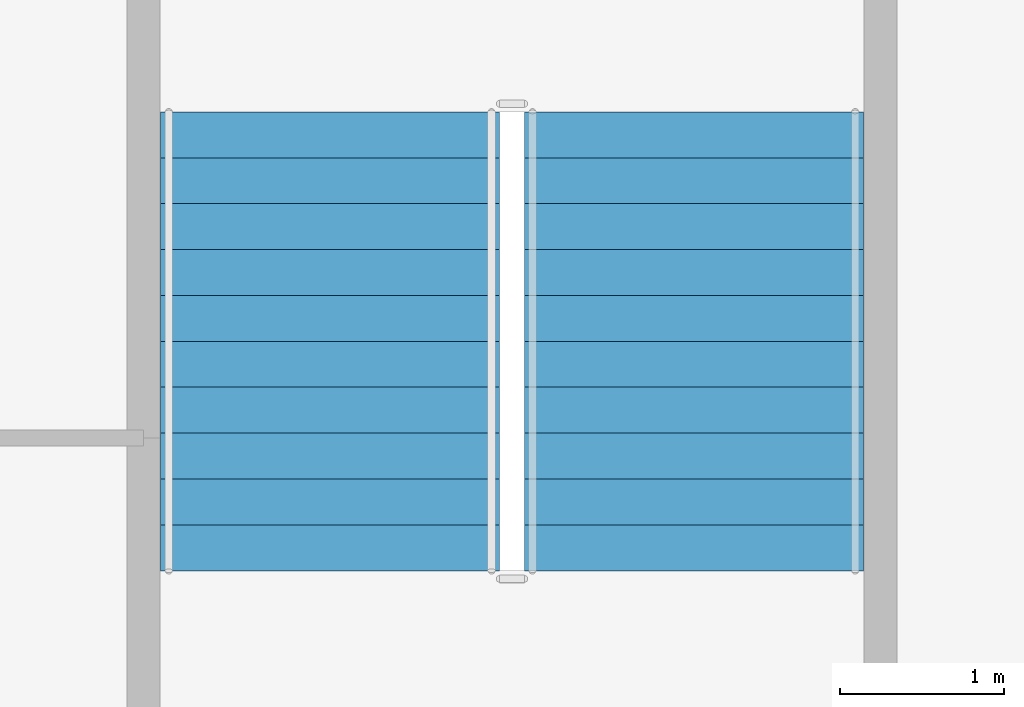
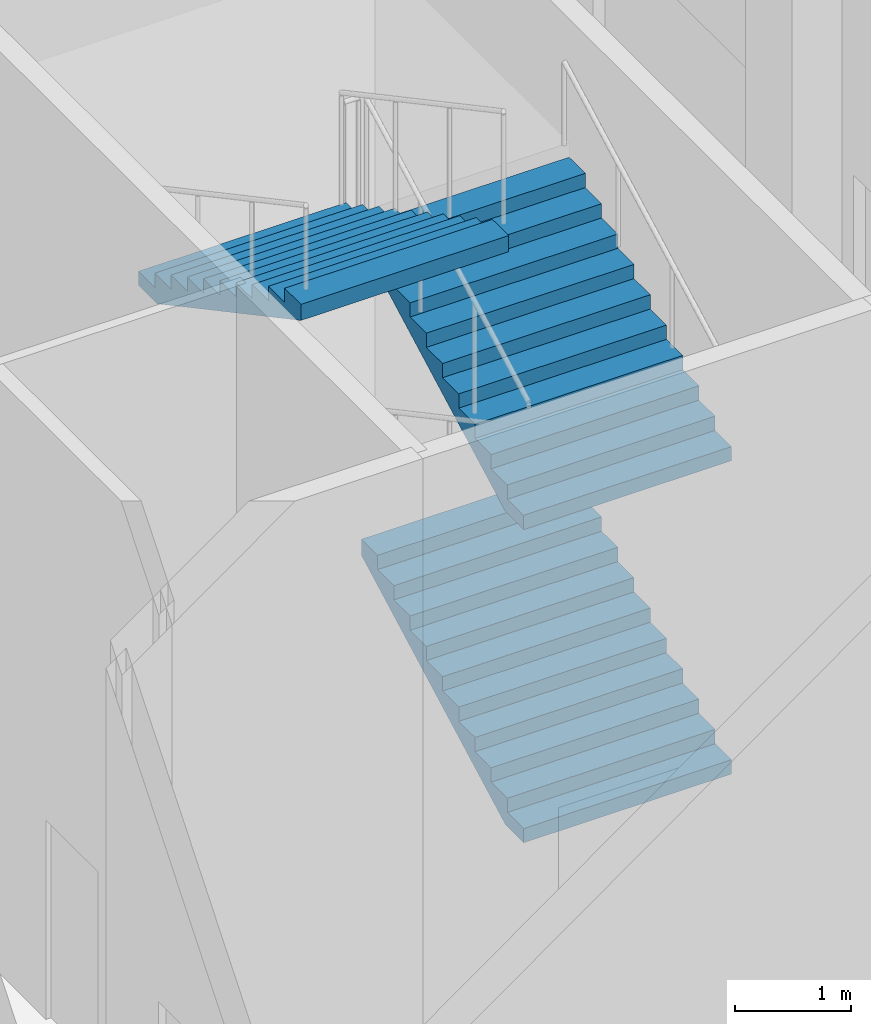
# One storey, part 20 of 26: 3 stair flights, 1 element without a shape of its own.
"""IFC4 building model written with IfcOpenShell, lengths in metres."""

from ifc_helpers import new_model, si_unit, direction, frame, origin, place, context, subcontext, project, spatial, polygons, material, type_object, element, aggregate, save


model = new_model("IFC4")

# Units and contexts
model_context = context("Model", 3, precision=1e-05, world=origin(), true_north=direction((0.0, 1.0)))
body_context = subcontext(model_context, "Body", "Model", "MODEL_VIEW")
ifc_project = project(units=[si_unit("LENGTHUNIT", "METRE"), si_unit("AREAUNIT", "SQUARE_METRE"), si_unit("VOLUMEUNIT", "CUBIC_METRE"), si_unit("PLANEANGLEUNIT", "RADIAN"), si_unit("MASSUNIT", "GRAM", prefix="KILO")], contexts=[model_context])

# Site, building, storey
site_placement = place(None, origin())
site = spatial("IfcSite", under=ifc_project, at=site_placement, CompositionType="ELEMENT")
building_placement = place(site_placement, origin())
building = spatial("IfcBuilding", under=site, at=building_placement, Name="Caravel Reach Hotel and Residences", CompositionType="ELEMENT")
storey_placement = place(building_placement, frame((0.0, 0.0, 17.39990234375)))
storey = spatial("IfcBuildingStorey", under=building, at=storey_placement, Name="L03", CompositionType="ELEMENT", Elevation=17.39990234375)

# Stair, stair flights
ifc_material_1 = material(Name="Concrete C40", Category="concrete")
stair_type = type_object("IfcStairType", Name="Core stair", PredefinedType="HALF_TURN_STAIR", material=ifc_material_1)
stair_placement = place(storey_placement, origin())
stair = element("IfcStair", 1, at=stair_placement, inside=storey, type_object=stair_type, Name="L03 Exit stair P6", PredefinedType="HALF_TURN_STAIR")
ifc_material_2 = material(Name="Concrete C40", Category="concrete")
stair_flight_type = type_object("IfcStairFlightType", Name="Core stair flight", PredefinedType="STRAIGHT", material=ifc_material_2)
stair_flight_1_placement = place(storey_placement, frame((64.360107421875, 42.68994140625, 0.0), z_axis=(0.0, 0.0, 1.0), x_axis=(0.0, 1.0, 0.0)))
stair_flight_1 = element("IfcStairFlight", 2, at=stair_flight_1_placement, type_object=stair_flight_type, Name="ST-P6 flight 1", NumberOfRisers=11, NumberOfTreads=10, PredefinedType="STRAIGHT", RiserHeight=0.15, TreadLength=0.28, context=body_context, shape_type="Tessellation", body=[
    polygons([(0.3174408016601862, 1.0350341796875, 0.0), (0.3174408016601862, 0.6900227864583333, 0.0), (0.3174408016601862, 0.34501139322916663, 0.0), (0.3174408016601862, 0.0, 0.0), (0.3174408016601862, -0.34501139322916674, 0.0), (0.3174408016601862, -0.6900227864583333, 0.0), (0.3174408016601862, -1.0350341796875, 0.0), (2.801, 1.0350341796875, 1.329942427682043), (2.801, 0.6900227864583333, 1.329942427682043), (2.801, 0.34501139322916663, 1.329942427682043), (2.801, 0.0, 1.329942427682043), (2.801, -0.34501139322916674, 1.329942427682043), (2.801, -0.6900227864583333, 1.329942427682043), (2.801, -1.0350341796875, 1.329942427682043), (2.801, 1.0350341796875, 1.5), (2.801, 0.6900227864583333, 1.5), (2.801, 0.34501139322916663, 1.5), (2.801, 0.0, 1.5), (2.801, -0.34501139322916674, 1.5), (2.801, -0.6900227864583333, 1.5), (2.801, -1.0350341796875, 1.5), (2.5200000000000005, 1.0350341796875, 1.5), (2.5200000000000005, 0.6900227864583333, 1.5), (2.5200000000000005, 0.34501139322916663, 1.5), (2.5200000000000005, 0.0, 1.5), (2.5200000000000005, -0.34501139322916674, 1.5), (2.5200000000000005, -0.6900227864583333, 1.5), (2.5200000000000005, -1.0350341796875, 1.5), (2.5200000000000005, 1.0350341796875, 1.3499999999999999), (2.5200000000000005, 0.6900227864583333, 1.3499999999999999), (2.5200000000000005, 0.34501139322916663, 1.3499999999999999), (2.5200000000000005, 0.0, 1.3499999999999999), (2.5200000000000005, -0.34501139322916674, 1.3499999999999999), (2.5200000000000005, -0.6900227864583333, 1.3499999999999999), (2.5200000000000005, -1.0350341796875, 1.3499999999999999), (2.24, 1.0350341796875, 1.3499999999999999), (2.24, 0.6900227864583333, 1.3499999999999999), (2.24, 0.34501139322916663, 1.3499999999999999), (2.24, 0.0, 1.3499999999999999), (2.24, -0.34501139322916674, 1.3499999999999999), (2.24, -0.6900227864583333, 1.3499999999999999), (2.24, -1.0350341796875, 1.3499999999999999), (2.24, 1.0350341796875, 1.2), (2.24, 0.6900227864583333, 1.2), (2.24, 0.34501139322916663, 1.2), (2.24, 0.0, 1.2), (2.24, -0.34501139322916674, 1.2), (2.24, -0.6900227864583333, 1.2), (2.24, -1.0350341796875, 1.2), (1.9600000000000002, 1.0350341796875, 1.2), (1.9600000000000002, 0.6900227864583333, 1.2), (1.9600000000000002, 0.34501139322916663, 1.2), (1.9600000000000002, 0.0, 1.2), (1.9600000000000002, -0.34501139322916674, 1.2), (1.9600000000000002, -0.6900227864583333, 1.2), (1.9600000000000002, -1.0350341796875, 1.2), (1.9600000000000002, 1.0350341796875, 1.05), (1.9600000000000002, 0.6900227864583333, 1.05), (1.9600000000000002, 0.34501139322916663, 1.05), (1.9600000000000002, 0.0, 1.05), (1.9600000000000002, -0.34501139322916674, 1.05), (1.9600000000000002, -0.6900227864583333, 1.05), (1.9600000000000002, -1.0350341796875, 1.05), (1.6800000000000002, 1.0350341796875, 1.05), (1.6800000000000002, 0.6900227864583333, 1.05), (1.6800000000000002, 0.34501139322916663, 1.05), (1.6800000000000002, 0.0, 1.05), (1.6800000000000002, -0.34501139322916674, 1.05), (1.6800000000000002, -0.6900227864583333, 1.05), (1.6800000000000002, -1.0350341796875, 1.05), (1.6800000000000002, 1.0350341796875, 0.8999999999999999), (1.6800000000000002, 0.6900227864583333, 0.8999999999999999), (1.6800000000000002, 0.34501139322916663, 0.8999999999999999), (1.6800000000000002, 0.0, 0.8999999999999999), (1.6800000000000002, -0.34501139322916674, 0.8999999999999999), (1.6800000000000002, -0.6900227864583333, 0.8999999999999999), (1.6800000000000002, -1.0350341796875, 0.8999999999999999), (1.4000000000000001, 1.0350341796875, 0.8999999999999999), (1.4000000000000001, 0.6900227864583333, 0.8999999999999999), (1.4000000000000001, 0.34501139322916663, 0.8999999999999999), (1.4000000000000001, 0.0, 0.8999999999999999), (1.4000000000000001, -0.34501139322916674, 0.8999999999999999), (1.4000000000000001, -0.6900227864583333, 0.8999999999999999), (1.4000000000000001, -1.0350341796875, 0.8999999999999999), (1.4000000000000001, 1.0350341796875, 0.75), (1.4000000000000001, 0.6900227864583333, 0.75), (1.4000000000000001, 0.34501139322916663, 0.75), (1.4000000000000001, 0.0, 0.75), (1.4000000000000001, -0.34501139322916674, 0.75), (1.4000000000000001, -0.6900227864583333, 0.75), (1.4000000000000001, -1.0350341796875, 0.75), (1.12, 1.0350341796875, 0.75), (1.12, 0.6900227864583333, 0.75), (1.12, 0.34501139322916663, 0.75), (1.12, 0.0, 0.75), (1.12, -0.34501139322916674, 0.75), (1.12, -0.6900227864583333, 0.75), (1.12, -1.0350341796875, 0.75), (1.12, 1.0350341796875, 0.6), (1.12, 0.6900227864583333, 0.6), (1.12, 0.34501139322916663, 0.6), (1.12, 0.0, 0.6), (1.12, -0.34501139322916674, 0.6), (1.12, -0.6900227864583333, 0.6), (1.12, -1.0350341796875, 0.6), (0.8400000000000001, 1.0350341796875, 0.6), (0.8400000000000001, 0.6900227864583333, 0.6), (0.8400000000000001, 0.34501139322916663, 0.6), (0.8400000000000001, 0.0, 0.6), (0.8400000000000001, -0.34501139322916674, 0.6), (0.8400000000000001, -0.6900227864583333, 0.6), (0.8400000000000001, -1.0350341796875, 0.6), (0.8400000000000001, 1.0350341796875, 0.44999999999999996), (0.8400000000000001, 0.6900227864583333, 0.44999999999999996), (0.8400000000000001, 0.34501139322916663, 0.44999999999999996), (0.8400000000000001, 0.0, 0.44999999999999996), (0.8400000000000001, -0.34501139322916674, 0.44999999999999996), (0.8400000000000001, -0.6900227864583333, 0.44999999999999996), (0.8400000000000001, -1.0350341796875, 0.44999999999999996), (0.56, 1.0350341796875, 0.44999999999999996), (0.56, 0.6900227864583333, 0.44999999999999996), (0.56, 0.34501139322916663, 0.44999999999999996), (0.56, 0.0, 0.44999999999999996), (0.56, -0.34501139322916674, 0.44999999999999996), (0.56, -0.6900227864583333, 0.44999999999999996), (0.56, -1.0350341796875, 0.44999999999999996), (0.56, 1.0350341796875, 0.3), (0.56, 0.6900227864583333, 0.3), (0.56, 0.34501139322916663, 0.3), (0.56, 0.0, 0.3), (0.56, -0.34501139322916674, 0.3), (0.56, -0.6900227864583333, 0.3), (0.56, -1.0350341796875, 0.3), (0.28, 1.0350341796875, 0.3), (0.28, 0.6900227864583333, 0.3), (0.28, 0.34501139322916663, 0.3), (0.28, 0.0, 0.3), (0.28, -0.34501139322916674, 0.3), (0.28, -0.6900227864583333, 0.3), (0.28, -1.0350341796875, 0.3), (0.28, 1.0350341796875, 0.15), (0.28, 0.6900227864583333, 0.15), (0.28, 0.34501139322916663, 0.15), (0.28, 0.0, 0.15), (0.28, -0.34501139322916674, 0.15), (0.28, -0.6900227864583333, 0.15), (0.28, -1.0350341796875, 0.15), (-0.001, 1.0350341796875, 0.15), (-0.001, 0.6900227864583333, 0.15), (-0.001, 0.34501139322916663, 0.15), (-0.001, 0.0, 0.15), (-0.001, -0.34501139322916674, 0.15), (-0.001, -0.6900227864583333, 0.15), (-0.001, -1.0350341796875, 0.15), (-0.001, 1.0350341796875, 0.0), (-0.001, 0.6900227864583333, 0.0), (-0.001, 0.34501139322916663, 0.0), (-0.001, 0.0, 0.0), (-0.001, -0.34501139322916674, 0.0), (-0.001, -0.6900227864583333, 0.0), (-0.001, -1.0350341796875, 0.0)], [[[155, 148, 141, 134, 127, 120, 113, 106, 99, 92, 85, 78, 71, 64, 57, 50, 43, 36, 29, 22, 15, 8, 1]], [[7, 14, 21, 28, 35, 42, 49, 56, 63, 70, 77, 84, 91, 98, 105, 112, 119, 126, 133, 140, 147, 154, 161]], [[1, 8, 9, 2]], [[2, 9, 10, 3]], [[3, 10, 11, 4]], [[4, 11, 12, 5]], [[5, 12, 13, 6]], [[6, 13, 14, 7]], [[8, 15, 16, 9]], [[9, 16, 17, 10]], [[10, 17, 18, 11]], [[11, 18, 19, 12]], [[12, 19, 20, 13]], [[13, 20, 21, 14]], [[15, 22, 23, 16]], [[16, 23, 24, 17]], [[17, 24, 25, 18]], [[18, 25, 26, 19]], [[19, 26, 27, 20]], [[20, 27, 28, 21]], [[22, 29, 30, 23]], [[23, 30, 31, 24]], [[24, 31, 32, 25]], [[25, 32, 33, 26]], [[26, 33, 34, 27]], [[27, 34, 35, 28]], [[29, 36, 37, 30]], [[30, 37, 38, 31]], [[31, 38, 39, 32]], [[32, 39, 40, 33]], [[33, 40, 41, 34]], [[34, 41, 42, 35]], [[36, 43, 44, 37]], [[37, 44, 45, 38]], [[38, 45, 46, 39]], [[39, 46, 47, 40]], [[40, 47, 48, 41]], [[41, 48, 49, 42]], [[43, 50, 51, 44]], [[44, 51, 52, 45]], [[45, 52, 53, 46]], [[46, 53, 54, 47]], [[47, 54, 55, 48]], [[48, 55, 56, 49]], [[50, 57, 58, 51]], [[51, 58, 59, 52]], [[52, 59, 60, 53]], [[53, 60, 61, 54]], [[54, 61, 62, 55]], [[55, 62, 63, 56]], [[57, 64, 65, 58]], [[58, 65, 66, 59]], [[59, 66, 67, 60]], [[60, 67, 68, 61]], [[61, 68, 69, 62]], [[62, 69, 70, 63]], [[64, 71, 72, 65]], [[65, 72, 73, 66]], [[66, 73, 74, 67]], [[67, 74, 75, 68]], [[68, 75, 76, 69]], [[69, 76, 77, 70]], [[71, 78, 79, 72]], [[72, 79, 80, 73]], [[73, 80, 81, 74]], [[74, 81, 82, 75]], [[75, 82, 83, 76]], [[76, 83, 84, 77]], [[78, 85, 86, 79]], [[79, 86, 87, 80]], [[80, 87, 88, 81]], [[81, 88, 89, 82]], [[82, 89, 90, 83]], [[83, 90, 91, 84]], [[85, 92, 93, 86]], [[86, 93, 94, 87]], [[87, 94, 95, 88]], [[88, 95, 96, 89]], [[89, 96, 97, 90]], [[90, 97, 98, 91]], [[92, 99, 100, 93]], [[93, 100, 101, 94]], [[94, 101, 102, 95]], [[95, 102, 103, 96]], [[96, 103, 104, 97]], [[97, 104, 105, 98]], [[99, 106, 107, 100]], [[100, 107, 108, 101]], [[101, 108, 109, 102]], [[102, 109, 110, 103]], [[103, 110, 111, 104]], [[104, 111, 112, 105]], [[106, 113, 114, 107]], [[107, 114, 115, 108]], [[108, 115, 116, 109]], [[109, 116, 117, 110]], [[110, 117, 118, 111]], [[111, 118, 119, 112]], [[113, 120, 121, 114]], [[114, 121, 122, 115]], [[115, 122, 123, 116]], [[116, 123, 124, 117]], [[117, 124, 125, 118]], [[118, 125, 126, 119]], [[120, 127, 128, 121]], [[121, 128, 129, 122]], [[122, 129, 130, 123]], [[123, 130, 131, 124]], [[124, 131, 132, 125]], [[125, 132, 133, 126]], [[127, 134, 135, 128]], [[128, 135, 136, 129]], [[129, 136, 137, 130]], [[130, 137, 138, 131]], [[131, 138, 139, 132]], [[132, 139, 140, 133]], [[134, 141, 142, 135]], [[135, 142, 143, 136]], [[136, 143, 144, 137]], [[137, 144, 145, 138]], [[138, 145, 146, 139]], [[139, 146, 147, 140]], [[141, 148, 149, 142]], [[142, 149, 150, 143]], [[143, 150, 151, 144]], [[144, 151, 152, 145]], [[145, 152, 153, 146]], [[146, 153, 154, 147]], [[148, 155, 156, 149]], [[149, 156, 157, 150]], [[150, 157, 158, 151]], [[151, 158, 159, 152]], [[152, 159, 160, 153]], [[153, 160, 161, 154]], [[155, 1, 2, 156]], [[156, 2, 3, 157]], [[157, 3, 4, 158]], [[158, 4, 5, 159]], [[159, 5, 6, 160]], [[160, 6, 7, 161]]], closed=True),
])
stair_flight_2_placement = place(storey_placement, frame((64.360107421875, 42.68994140625, 3.300048828125), z_axis=(0.0, 0.0, 1.0), x_axis=(0.0, 1.0, 0.0)))
stair_flight_2 = element("IfcStairFlight", 3, at=stair_flight_2_placement, type_object=stair_flight_type, Name="ST-P6 flight 3", NumberOfRisers=11, NumberOfTreads=10, PredefinedType="STRAIGHT", RiserHeight=0.15, TreadLength=0.28, context=body_context, shape_type="Tessellation", body=[
    polygons([(0.3174408016601862, 1.0350341796875, 0.0), (0.3174408016601862, 0.6900227864583333, 0.0), (0.3174408016601862, 0.34501139322916663, 0.0), (0.3174408016601862, 0.0, 0.0), (0.3174408016601862, -0.34501139322916674, 0.0), (0.3174408016601862, -0.6900227864583333, 0.0), (0.3174408016601862, -1.0350341796875, 0.0), (2.801, 1.0350341796875, 1.329942427682043), (2.801, 0.6900227864583333, 1.329942427682043), (2.801, 0.34501139322916663, 1.329942427682043), (2.801, 0.0, 1.329942427682043), (2.801, -0.34501139322916674, 1.329942427682043), (2.801, -0.6900227864583333, 1.329942427682043), (2.801, -1.0350341796875, 1.329942427682043), (2.801, 1.0350341796875, 1.5), (2.801, 0.6900227864583333, 1.5), (2.801, 0.34501139322916663, 1.5), (2.801, 0.0, 1.5), (2.801, -0.34501139322916674, 1.5), (2.801, -0.6900227864583333, 1.5), (2.801, -1.0350341796875, 1.5), (2.5200000000000005, 1.0350341796875, 1.5), (2.5200000000000005, 0.6900227864583333, 1.5), (2.5200000000000005, 0.34501139322916663, 1.5), (2.5200000000000005, 0.0, 1.5), (2.5200000000000005, -0.34501139322916674, 1.5), (2.5200000000000005, -0.6900227864583333, 1.5), (2.5200000000000005, -1.0350341796875, 1.5), (2.5200000000000005, 1.0350341796875, 1.3499999999999999), (2.5200000000000005, 0.6900227864583333, 1.3499999999999999), (2.5200000000000005, 0.34501139322916663, 1.3499999999999999), (2.5200000000000005, 0.0, 1.3499999999999999), (2.5200000000000005, -0.34501139322916674, 1.3499999999999999), (2.5200000000000005, -0.6900227864583333, 1.3499999999999999), (2.5200000000000005, -1.0350341796875, 1.3499999999999999), (2.24, 1.0350341796875, 1.3499999999999999), (2.24, 0.6900227864583333, 1.3499999999999999), (2.24, 0.34501139322916663, 1.3499999999999999), (2.24, 0.0, 1.3499999999999999), (2.24, -0.34501139322916674, 1.3499999999999999), (2.24, -0.6900227864583333, 1.3499999999999999), (2.24, -1.0350341796875, 1.3499999999999999), (2.24, 1.0350341796875, 1.2), (2.24, 0.6900227864583333, 1.2), (2.24, 0.34501139322916663, 1.2), (2.24, 0.0, 1.2), (2.24, -0.34501139322916674, 1.2), (2.24, -0.6900227864583333, 1.2), (2.24, -1.0350341796875, 1.2), (1.9600000000000002, 1.0350341796875, 1.2), (1.9600000000000002, 0.6900227864583333, 1.2), (1.9600000000000002, 0.34501139322916663, 1.2), (1.9600000000000002, 0.0, 1.2), (1.9600000000000002, -0.34501139322916674, 1.2), (1.9600000000000002, -0.6900227864583333, 1.2), (1.9600000000000002, -1.0350341796875, 1.2), (1.9600000000000002, 1.0350341796875, 1.05), (1.9600000000000002, 0.6900227864583333, 1.05), (1.9600000000000002, 0.34501139322916663, 1.05), (1.9600000000000002, 0.0, 1.05), (1.9600000000000002, -0.34501139322916674, 1.05), (1.9600000000000002, -0.6900227864583333, 1.05), (1.9600000000000002, -1.0350341796875, 1.05), (1.6800000000000002, 1.0350341796875, 1.05), (1.6800000000000002, 0.6900227864583333, 1.05), (1.6800000000000002, 0.34501139322916663, 1.05), (1.6800000000000002, 0.0, 1.05), (1.6800000000000002, -0.34501139322916674, 1.05), (1.6800000000000002, -0.6900227864583333, 1.05), (1.6800000000000002, -1.0350341796875, 1.05), (1.6800000000000002, 1.0350341796875, 0.8999999999999999), (1.6800000000000002, 0.6900227864583333, 0.8999999999999999), (1.6800000000000002, 0.34501139322916663, 0.8999999999999999), (1.6800000000000002, 0.0, 0.8999999999999999), (1.6800000000000002, -0.34501139322916674, 0.8999999999999999), (1.6800000000000002, -0.6900227864583333, 0.8999999999999999), (1.6800000000000002, -1.0350341796875, 0.8999999999999999), (1.4000000000000001, 1.0350341796875, 0.8999999999999999), (1.4000000000000001, 0.6900227864583333, 0.8999999999999999), (1.4000000000000001, 0.34501139322916663, 0.8999999999999999), (1.4000000000000001, 0.0, 0.8999999999999999), (1.4000000000000001, -0.34501139322916674, 0.8999999999999999), (1.4000000000000001, -0.6900227864583333, 0.8999999999999999), (1.4000000000000001, -1.0350341796875, 0.8999999999999999), (1.4000000000000001, 1.0350341796875, 0.75), (1.4000000000000001, 0.6900227864583333, 0.75), (1.4000000000000001, 0.34501139322916663, 0.75), (1.4000000000000001, 0.0, 0.75), (1.4000000000000001, -0.34501139322916674, 0.75), (1.4000000000000001, -0.6900227864583333, 0.75), (1.4000000000000001, -1.0350341796875, 0.75), (1.12, 1.0350341796875, 0.75), (1.12, 0.6900227864583333, 0.75), (1.12, 0.34501139322916663, 0.75), (1.12, 0.0, 0.75), (1.12, -0.34501139322916674, 0.75), (1.12, -0.6900227864583333, 0.75), (1.12, -1.0350341796875, 0.75), (1.12, 1.0350341796875, 0.6), (1.12, 0.6900227864583333, 0.6), (1.12, 0.34501139322916663, 0.6), (1.12, 0.0, 0.6), (1.12, -0.34501139322916674, 0.6), (1.12, -0.6900227864583333, 0.6), (1.12, -1.0350341796875, 0.6), (0.8400000000000001, 1.0350341796875, 0.6), (0.8400000000000001, 0.6900227864583333, 0.6), (0.8400000000000001, 0.34501139322916663, 0.6), (0.8400000000000001, 0.0, 0.6), (0.8400000000000001, -0.34501139322916674, 0.6), (0.8400000000000001, -0.6900227864583333, 0.6), (0.8400000000000001, -1.0350341796875, 0.6), (0.8400000000000001, 1.0350341796875, 0.44999999999999996), (0.8400000000000001, 0.6900227864583333, 0.44999999999999996), (0.8400000000000001, 0.34501139322916663, 0.44999999999999996), (0.8400000000000001, 0.0, 0.44999999999999996), (0.8400000000000001, -0.34501139322916674, 0.44999999999999996), (0.8400000000000001, -0.6900227864583333, 0.44999999999999996), (0.8400000000000001, -1.0350341796875, 0.44999999999999996), (0.56, 1.0350341796875, 0.44999999999999996), (0.56, 0.6900227864583333, 0.44999999999999996), (0.56, 0.34501139322916663, 0.44999999999999996), (0.56, 0.0, 0.44999999999999996), (0.56, -0.34501139322916674, 0.44999999999999996), (0.56, -0.6900227864583333, 0.44999999999999996), (0.56, -1.0350341796875, 0.44999999999999996), (0.56, 1.0350341796875, 0.3), (0.56, 0.6900227864583333, 0.3), (0.56, 0.34501139322916663, 0.3), (0.56, 0.0, 0.3), (0.56, -0.34501139322916674, 0.3), (0.56, -0.6900227864583333, 0.3), (0.56, -1.0350341796875, 0.3), (0.28, 1.0350341796875, 0.3), (0.28, 0.6900227864583333, 0.3), (0.28, 0.34501139322916663, 0.3), (0.28, 0.0, 0.3), (0.28, -0.34501139322916674, 0.3), (0.28, -0.6900227864583333, 0.3), (0.28, -1.0350341796875, 0.3), (0.28, 1.0350341796875, 0.15), (0.28, 0.6900227864583333, 0.15), (0.28, 0.34501139322916663, 0.15), (0.28, 0.0, 0.15), (0.28, -0.34501139322916674, 0.15), (0.28, -0.6900227864583333, 0.15), (0.28, -1.0350341796875, 0.15), (-0.001, 1.0350341796875, 0.15), (-0.001, 0.6900227864583333, 0.15), (-0.001, 0.34501139322916663, 0.15), (-0.001, 0.0, 0.15), (-0.001, -0.34501139322916674, 0.15), (-0.001, -0.6900227864583333, 0.15), (-0.001, -1.0350341796875, 0.15), (-0.001, 1.0350341796875, 0.0), (-0.001, 0.6900227864583333, 0.0), (-0.001, 0.34501139322916663, 0.0), (-0.001, 0.0, 0.0), (-0.001, -0.34501139322916674, 0.0), (-0.001, -0.6900227864583333, 0.0), (-0.001, -1.0350341796875, 0.0)], [[[155, 148, 141, 134, 127, 120, 113, 106, 99, 92, 85, 78, 71, 64, 57, 50, 43, 36, 29, 22, 15, 8, 1]], [[7, 14, 21, 28, 35, 42, 49, 56, 63, 70, 77, 84, 91, 98, 105, 112, 119, 126, 133, 140, 147, 154, 161]], [[1, 8, 9, 2]], [[2, 9, 10, 3]], [[3, 10, 11, 4]], [[4, 11, 12, 5]], [[5, 12, 13, 6]], [[6, 13, 14, 7]], [[8, 15, 16, 9]], [[9, 16, 17, 10]], [[10, 17, 18, 11]], [[11, 18, 19, 12]], [[12, 19, 20, 13]], [[13, 20, 21, 14]], [[15, 22, 23, 16]], [[16, 23, 24, 17]], [[17, 24, 25, 18]], [[18, 25, 26, 19]], [[19, 26, 27, 20]], [[20, 27, 28, 21]], [[22, 29, 30, 23]], [[23, 30, 31, 24]], [[24, 31, 32, 25]], [[25, 32, 33, 26]], [[26, 33, 34, 27]], [[27, 34, 35, 28]], [[29, 36, 37, 30]], [[30, 37, 38, 31]], [[31, 38, 39, 32]], [[32, 39, 40, 33]], [[33, 40, 41, 34]], [[34, 41, 42, 35]], [[36, 43, 44, 37]], [[37, 44, 45, 38]], [[38, 45, 46, 39]], [[39, 46, 47, 40]], [[40, 47, 48, 41]], [[41, 48, 49, 42]], [[43, 50, 51, 44]], [[44, 51, 52, 45]], [[45, 52, 53, 46]], [[46, 53, 54, 47]], [[47, 54, 55, 48]], [[48, 55, 56, 49]], [[50, 57, 58, 51]], [[51, 58, 59, 52]], [[52, 59, 60, 53]], [[53, 60, 61, 54]], [[54, 61, 62, 55]], [[55, 62, 63, 56]], [[57, 64, 65, 58]], [[58, 65, 66, 59]], [[59, 66, 67, 60]], [[60, 67, 68, 61]], [[61, 68, 69, 62]], [[62, 69, 70, 63]], [[64, 71, 72, 65]], [[65, 72, 73, 66]], [[66, 73, 74, 67]], [[67, 74, 75, 68]], [[68, 75, 76, 69]], [[69, 76, 77, 70]], [[71, 78, 79, 72]], [[72, 79, 80, 73]], [[73, 80, 81, 74]], [[74, 81, 82, 75]], [[75, 82, 83, 76]], [[76, 83, 84, 77]], [[78, 85, 86, 79]], [[79, 86, 87, 80]], [[80, 87, 88, 81]], [[81, 88, 89, 82]], [[82, 89, 90, 83]], [[83, 90, 91, 84]], [[85, 92, 93, 86]], [[86, 93, 94, 87]], [[87, 94, 95, 88]], [[88, 95, 96, 89]], [[89, 96, 97, 90]], [[90, 97, 98, 91]], [[92, 99, 100, 93]], [[93, 100, 101, 94]], [[94, 101, 102, 95]], [[95, 102, 103, 96]], [[96, 103, 104, 97]], [[97, 104, 105, 98]], [[99, 106, 107, 100]], [[100, 107, 108, 101]], [[101, 108, 109, 102]], [[102, 109, 110, 103]], [[103, 110, 111, 104]], [[104, 111, 112, 105]], [[106, 113, 114, 107]], [[107, 114, 115, 108]], [[108, 115, 116, 109]], [[109, 116, 117, 110]], [[110, 117, 118, 111]], [[111, 118, 119, 112]], [[113, 120, 121, 114]], [[114, 121, 122, 115]], [[115, 122, 123, 116]], [[116, 123, 124, 117]], [[117, 124, 125, 118]], [[118, 125, 126, 119]], [[120, 127, 128, 121]], [[121, 128, 129, 122]], [[122, 129, 130, 123]], [[123, 130, 131, 124]], [[124, 131, 132, 125]], [[125, 132, 133, 126]], [[127, 134, 135, 128]], [[128, 135, 136, 129]], [[129, 136, 137, 130]], [[130, 137, 138, 131]], [[131, 138, 139, 132]], [[132, 139, 140, 133]], [[134, 141, 142, 135]], [[135, 142, 143, 136]], [[136, 143, 144, 137]], [[137, 144, 145, 138]], [[138, 145, 146, 139]], [[139, 146, 147, 140]], [[141, 148, 149, 142]], [[142, 149, 150, 143]], [[143, 150, 151, 144]], [[144, 151, 152, 145]], [[145, 152, 153, 146]], [[146, 153, 154, 147]], [[148, 155, 156, 149]], [[149, 156, 157, 150]], [[150, 157, 158, 151]], [[151, 158, 159, 152]], [[152, 159, 160, 153]], [[153, 160, 161, 154]], [[155, 1, 2, 156]], [[156, 2, 3, 157]], [[157, 3, 4, 158]], [[158, 4, 5, 159]], [[159, 5, 6, 160]], [[160, 6, 7, 161]]], closed=True),
])
stair_flight_3_placement = place(storey_placement, frame((62.139892578125, 45.489990234375, 4.9501953125), z_axis=(0.0, 0.0, 1.0), x_axis=(0.0, -1.0, 0.0)))
stair_flight_3 = element("IfcStairFlight", 4, at=stair_flight_3_placement, type_object=stair_flight_type, Name="ST-P6 flight 4", NumberOfRisers=11, NumberOfTreads=10, PredefinedType="STRAIGHT", RiserHeight=0.15, TreadLength=0.28, context=body_context, shape_type="Tessellation", body=[
    polygons([(0.3174408016601862, 1.0350341796875, 0.0), (0.3174408016601862, 0.6900227864583333, 0.0), (0.3174408016601862, 0.34501139322916663, 0.0), (0.3174408016601862, 0.0, 0.0), (0.3174408016601862, -0.34501139322916674, 0.0), (0.3174408016601862, -0.6900227864583333, 0.0), (0.3174408016601862, -1.0350341796875, 0.0), (2.801, 1.0350341796875, 1.329942427682043), (2.801, 0.6900227864583333, 1.329942427682043), (2.801, 0.34501139322916663, 1.329942427682043), (2.801, 0.0, 1.329942427682043), (2.801, -0.34501139322916674, 1.329942427682043), (2.801, -0.6900227864583333, 1.329942427682043), (2.801, -1.0350341796875, 1.329942427682043), (2.801, 1.0350341796875, 1.5), (2.801, 0.6900227864583333, 1.5), (2.801, 0.34501139322916663, 1.5), (2.801, 0.0, 1.5), (2.801, -0.34501139322916674, 1.5), (2.801, -0.6900227864583333, 1.5), (2.801, -1.0350341796875, 1.5), (2.5200000000000005, 1.0350341796875, 1.5), (2.5200000000000005, 0.6900227864583333, 1.5), (2.5200000000000005, 0.34501139322916663, 1.5), (2.5200000000000005, 0.0, 1.5), (2.5200000000000005, -0.34501139322916674, 1.5), (2.5200000000000005, -0.6900227864583333, 1.5), (2.5200000000000005, -1.0350341796875, 1.5), (2.5200000000000005, 1.0350341796875, 1.3499999999999999), (2.5200000000000005, 0.6900227864583333, 1.3499999999999999), (2.5200000000000005, 0.34501139322916663, 1.3499999999999999), (2.5200000000000005, 0.0, 1.3499999999999999), (2.5200000000000005, -0.34501139322916674, 1.3499999999999999), (2.5200000000000005, -0.6900227864583333, 1.3499999999999999), (2.5200000000000005, -1.0350341796875, 1.3499999999999999), (2.24, 1.0350341796875, 1.3499999999999999), (2.24, 0.6900227864583333, 1.3499999999999999), (2.24, 0.34501139322916663, 1.3499999999999999), (2.24, 0.0, 1.3499999999999999), (2.24, -0.34501139322916674, 1.3499999999999999), (2.24, -0.6900227864583333, 1.3499999999999999), (2.24, -1.0350341796875, 1.3499999999999999), (2.24, 1.0350341796875, 1.2), (2.24, 0.6900227864583333, 1.2), (2.24, 0.34501139322916663, 1.2), (2.24, 0.0, 1.2), (2.24, -0.34501139322916674, 1.2), (2.24, -0.6900227864583333, 1.2), (2.24, -1.0350341796875, 1.2), (1.9600000000000002, 1.0350341796875, 1.2), (1.9600000000000002, 0.6900227864583333, 1.2), (1.9600000000000002, 0.34501139322916663, 1.2), (1.9600000000000002, 0.0, 1.2), (1.9600000000000002, -0.34501139322916674, 1.2), (1.9600000000000002, -0.6900227864583333, 1.2), (1.9600000000000002, -1.0350341796875, 1.2), (1.9600000000000002, 1.0350341796875, 1.05), (1.9600000000000002, 0.6900227864583333, 1.05), (1.9600000000000002, 0.34501139322916663, 1.05), (1.9600000000000002, 0.0, 1.05), (1.9600000000000002, -0.34501139322916674, 1.05), (1.9600000000000002, -0.6900227864583333, 1.05), (1.9600000000000002, -1.0350341796875, 1.05), (1.6800000000000002, 1.0350341796875, 1.05), (1.6800000000000002, 0.6900227864583333, 1.05), (1.6800000000000002, 0.34501139322916663, 1.05), (1.6800000000000002, 0.0, 1.05), (1.6800000000000002, -0.34501139322916674, 1.05), (1.6800000000000002, -0.6900227864583333, 1.05), (1.6800000000000002, -1.0350341796875, 1.05), (1.6800000000000002, 1.0350341796875, 0.8999999999999999), (1.6800000000000002, 0.6900227864583333, 0.8999999999999999), (1.6800000000000002, 0.34501139322916663, 0.8999999999999999), (1.6800000000000002, 0.0, 0.8999999999999999), (1.6800000000000002, -0.34501139322916674, 0.8999999999999999), (1.6800000000000002, -0.6900227864583333, 0.8999999999999999), (1.6800000000000002, -1.0350341796875, 0.8999999999999999), (1.4000000000000001, 1.0350341796875, 0.8999999999999999), (1.4000000000000001, 0.6900227864583333, 0.8999999999999999), (1.4000000000000001, 0.34501139322916663, 0.8999999999999999), (1.4000000000000001, 0.0, 0.8999999999999999), (1.4000000000000001, -0.34501139322916674, 0.8999999999999999), (1.4000000000000001, -0.6900227864583333, 0.8999999999999999), (1.4000000000000001, -1.0350341796875, 0.8999999999999999), (1.4000000000000001, 1.0350341796875, 0.75), (1.4000000000000001, 0.6900227864583333, 0.75), (1.4000000000000001, 0.34501139322916663, 0.75), (1.4000000000000001, 0.0, 0.75), (1.4000000000000001, -0.34501139322916674, 0.75), (1.4000000000000001, -0.6900227864583333, 0.75), (1.4000000000000001, -1.0350341796875, 0.75), (1.12, 1.0350341796875, 0.75), (1.12, 0.6900227864583333, 0.75), (1.12, 0.34501139322916663, 0.75), (1.12, 0.0, 0.75), (1.12, -0.34501139322916674, 0.75), (1.12, -0.6900227864583333, 0.75), (1.12, -1.0350341796875, 0.75), (1.12, 1.0350341796875, 0.6), (1.12, 0.6900227864583333, 0.6), (1.12, 0.34501139322916663, 0.6), (1.12, 0.0, 0.6), (1.12, -0.34501139322916674, 0.6), (1.12, -0.6900227864583333, 0.6), (1.12, -1.0350341796875, 0.6), (0.8400000000000001, 1.0350341796875, 0.6), (0.8400000000000001, 0.6900227864583333, 0.6), (0.8400000000000001, 0.34501139322916663, 0.6), (0.8400000000000001, 0.0, 0.6), (0.8400000000000001, -0.34501139322916674, 0.6), (0.8400000000000001, -0.6900227864583333, 0.6), (0.8400000000000001, -1.0350341796875, 0.6), (0.8400000000000001, 1.0350341796875, 0.44999999999999996), (0.8400000000000001, 0.6900227864583333, 0.44999999999999996), (0.8400000000000001, 0.34501139322916663, 0.44999999999999996), (0.8400000000000001, 0.0, 0.44999999999999996), (0.8400000000000001, -0.34501139322916674, 0.44999999999999996), (0.8400000000000001, -0.6900227864583333, 0.44999999999999996), (0.8400000000000001, -1.0350341796875, 0.44999999999999996), (0.56, 1.0350341796875, 0.44999999999999996), (0.56, 0.6900227864583333, 0.44999999999999996), (0.56, 0.34501139322916663, 0.44999999999999996), (0.56, 0.0, 0.44999999999999996), (0.56, -0.34501139322916674, 0.44999999999999996), (0.56, -0.6900227864583333, 0.44999999999999996), (0.56, -1.0350341796875, 0.44999999999999996), (0.56, 1.0350341796875, 0.3), (0.56, 0.6900227864583333, 0.3), (0.56, 0.34501139322916663, 0.3), (0.56, 0.0, 0.3), (0.56, -0.34501139322916674, 0.3), (0.56, -0.6900227864583333, 0.3), (0.56, -1.0350341796875, 0.3), (0.28, 1.0350341796875, 0.3), (0.28, 0.6900227864583333, 0.3), (0.28, 0.34501139322916663, 0.3), (0.28, 0.0, 0.3), (0.28, -0.34501139322916674, 0.3), (0.28, -0.6900227864583333, 0.3), (0.28, -1.0350341796875, 0.3), (0.28, 1.0350341796875, 0.15), (0.28, 0.6900227864583333, 0.15), (0.28, 0.34501139322916663, 0.15), (0.28, 0.0, 0.15), (0.28, -0.34501139322916674, 0.15), (0.28, -0.6900227864583333, 0.15), (0.28, -1.0350341796875, 0.15), (-0.001, 1.0350341796875, 0.15), (-0.001, 0.6900227864583333, 0.15), (-0.001, 0.34501139322916663, 0.15), (-0.001, 0.0, 0.15), (-0.001, -0.34501139322916674, 0.15), (-0.001, -0.6900227864583333, 0.15), (-0.001, -1.0350341796875, 0.15), (-0.001, 1.0350341796875, 0.0), (-0.001, 0.6900227864583333, 0.0), (-0.001, 0.34501139322916663, 0.0), (-0.001, 0.0, 0.0), (-0.001, -0.34501139322916674, 0.0), (-0.001, -0.6900227864583333, 0.0), (-0.001, -1.0350341796875, 0.0)], [[[155, 148, 141, 134, 127, 120, 113, 106, 99, 92, 85, 78, 71, 64, 57, 50, 43, 36, 29, 22, 15, 8, 1]], [[7, 14, 21, 28, 35, 42, 49, 56, 63, 70, 77, 84, 91, 98, 105, 112, 119, 126, 133, 140, 147, 154, 161]], [[1, 8, 9, 2]], [[2, 9, 10, 3]], [[3, 10, 11, 4]], [[4, 11, 12, 5]], [[5, 12, 13, 6]], [[6, 13, 14, 7]], [[8, 15, 16, 9]], [[9, 16, 17, 10]], [[10, 17, 18, 11]], [[11, 18, 19, 12]], [[12, 19, 20, 13]], [[13, 20, 21, 14]], [[15, 22, 23, 16]], [[16, 23, 24, 17]], [[17, 24, 25, 18]], [[18, 25, 26, 19]], [[19, 26, 27, 20]], [[20, 27, 28, 21]], [[22, 29, 30, 23]], [[23, 30, 31, 24]], [[24, 31, 32, 25]], [[25, 32, 33, 26]], [[26, 33, 34, 27]], [[27, 34, 35, 28]], [[29, 36, 37, 30]], [[30, 37, 38, 31]], [[31, 38, 39, 32]], [[32, 39, 40, 33]], [[33, 40, 41, 34]], [[34, 41, 42, 35]], [[36, 43, 44, 37]], [[37, 44, 45, 38]], [[38, 45, 46, 39]], [[39, 46, 47, 40]], [[40, 47, 48, 41]], [[41, 48, 49, 42]], [[43, 50, 51, 44]], [[44, 51, 52, 45]], [[45, 52, 53, 46]], [[46, 53, 54, 47]], [[47, 54, 55, 48]], [[48, 55, 56, 49]], [[50, 57, 58, 51]], [[51, 58, 59, 52]], [[52, 59, 60, 53]], [[53, 60, 61, 54]], [[54, 61, 62, 55]], [[55, 62, 63, 56]], [[57, 64, 65, 58]], [[58, 65, 66, 59]], [[59, 66, 67, 60]], [[60, 67, 68, 61]], [[61, 68, 69, 62]], [[62, 69, 70, 63]], [[64, 71, 72, 65]], [[65, 72, 73, 66]], [[66, 73, 74, 67]], [[67, 74, 75, 68]], [[68, 75, 76, 69]], [[69, 76, 77, 70]], [[71, 78, 79, 72]], [[72, 79, 80, 73]], [[73, 80, 81, 74]], [[74, 81, 82, 75]], [[75, 82, 83, 76]], [[76, 83, 84, 77]], [[78, 85, 86, 79]], [[79, 86, 87, 80]], [[80, 87, 88, 81]], [[81, 88, 89, 82]], [[82, 89, 90, 83]], [[83, 90, 91, 84]], [[85, 92, 93, 86]], [[86, 93, 94, 87]], [[87, 94, 95, 88]], [[88, 95, 96, 89]], [[89, 96, 97, 90]], [[90, 97, 98, 91]], [[92, 99, 100, 93]], [[93, 100, 101, 94]], [[94, 101, 102, 95]], [[95, 102, 103, 96]], [[96, 103, 104, 97]], [[97, 104, 105, 98]], [[99, 106, 107, 100]], [[100, 107, 108, 101]], [[101, 108, 109, 102]], [[102, 109, 110, 103]], [[103, 110, 111, 104]], [[104, 111, 112, 105]], [[106, 113, 114, 107]], [[107, 114, 115, 108]], [[108, 115, 116, 109]], [[109, 116, 117, 110]], [[110, 117, 118, 111]], [[111, 118, 119, 112]], [[113, 120, 121, 114]], [[114, 121, 122, 115]], [[115, 122, 123, 116]], [[116, 123, 124, 117]], [[117, 124, 125, 118]], [[118, 125, 126, 119]], [[120, 127, 128, 121]], [[121, 128, 129, 122]], [[122, 129, 130, 123]], [[123, 130, 131, 124]], [[124, 131, 132, 125]], [[125, 132, 133, 126]], [[127, 134, 135, 128]], [[128, 135, 136, 129]], [[129, 136, 137, 130]], [[130, 137, 138, 131]], [[131, 138, 139, 132]], [[132, 139, 140, 133]], [[134, 141, 142, 135]], [[135, 142, 143, 136]], [[136, 143, 144, 137]], [[137, 144, 145, 138]], [[138, 145, 146, 139]], [[139, 146, 147, 140]], [[141, 148, 149, 142]], [[142, 149, 150, 143]], [[143, 150, 151, 144]], [[144, 151, 152, 145]], [[145, 152, 153, 146]], [[146, 153, 154, 147]], [[148, 155, 156, 149]], [[149, 156, 157, 150]], [[150, 157, 158, 151]], [[151, 158, 159, 152]], [[152, 159, 160, 153]], [[153, 160, 161, 154]], [[155, 1, 2, 156]], [[156, 2, 3, 157]], [[157, 3, 4, 158]], [[158, 4, 5, 159]], [[159, 5, 6, 160]], [[160, 6, 7, 161]]], closed=True),
])
aggregate(stair, [stair_flight_1, stair_flight_2, stair_flight_3])

save(model, "model.ifc")
